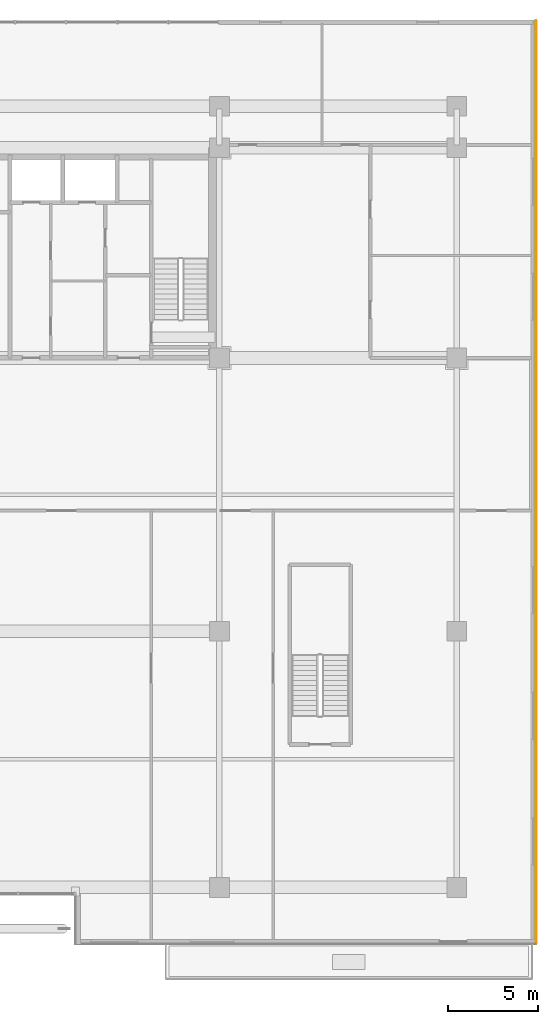
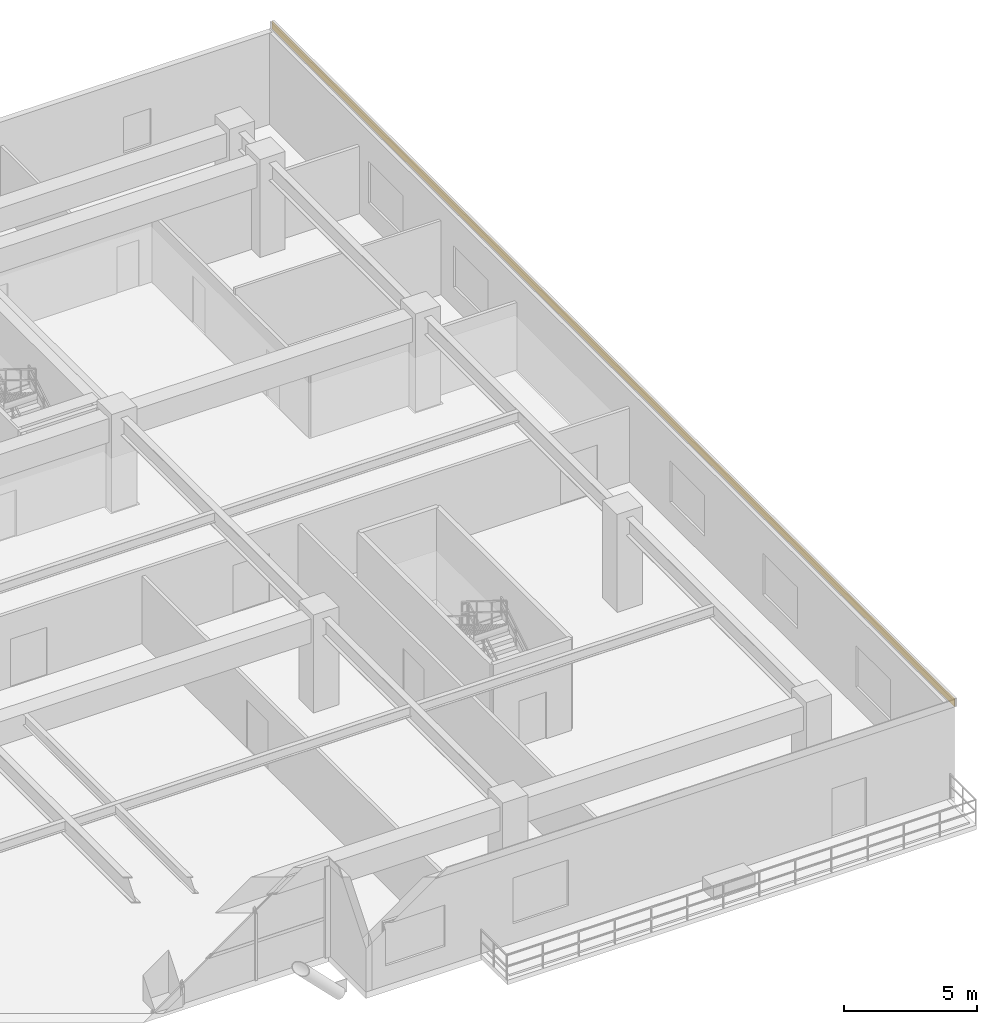
# One storey, part 24 of 24: 1 covering.
"""IFC4 building model written with IfcOpenShell, lengths in metres."""

from ifc_helpers import new_model, si_unit, direction, frame, origin, origin_2d, place, context, subcontext, project, spatial, rectangle, extrude, source, transform, mapped, material, layer, layer_set, type_object, element, save


model = new_model("IFC4")

# Units and contexts
model_context = context("Model", 3, precision=1e-05, world=origin(), true_north=direction((0.0, 1.0)))
body_context = subcontext(model_context, "Body", "Model", "MODEL_VIEW")
ifc_project = project(units=[si_unit("LENGTHUNIT", "METRE"), si_unit("AREAUNIT", "SQUARE_METRE"), si_unit("VOLUMEUNIT", "CUBIC_METRE"), si_unit("PLANEANGLEUNIT", "RADIAN"), si_unit("MASSUNIT", "GRAM", prefix="KILO")], contexts=[model_context])

# Site, building, storey
site_placement = place(None, origin())
site = spatial("IfcSite", under=ifc_project, at=site_placement, CompositionType="ELEMENT")
building_placement = place(site_placement, origin())
building = spatial("IfcBuilding", under=site, at=building_placement, Name="Trelvane Seafront Commons", CompositionType="ELEMENT")
storey_placement = place(building_placement, frame((0.0, 0.0, 9.699951171875)))
storey = spatial("IfcBuildingStorey", under=building, at=storey_placement, Name="L02", CompositionType="ELEMENT", Elevation=9.699951171875)

# Covering
ifc_material = material(Name="Anodised pale-silver aluminium", Category="aluminium")
ifc_layer = layer(ifc_material, 0.034912109375, Name="ARCH-COV-CLAD35")
ifc_layer_set = layer_set([ifc_layer], Name="Anodised pale-silver aluminium")
covering_type = type_object("IfcCoveringType", Name="ARCH-COV-CLAD35", PredefinedType="CLADDING", material=ifc_layer_set)
shared_shape = source(origin(), body_context, "Body", "SweptSolid", [
    extrude(rectangle(XDim=51.39990234375, YDim=0.034912109375, at=origin_2d()), origin(), (0.0, 0.0, 1.0), 0.340087890625),
])
covering_placement = place(storey_placement, frame((76.39990234375, 26.5, 4.16015625), z_axis=(0.0, 0.0, 1.0), x_axis=(0.0, -1.0, 0.0)))
element("IfcCovering", 1, at=covering_placement, inside=storey, type_object=covering_type, Name="CLD-L02-00013", PredefinedType="CLADDING", context=body_context, shape_type="MappedRepresentation", body=[
    mapped(shared_shape, transform((0.0, 0.0, 0.0), x_axis=(1.0, 0.0, 0.0), y_axis=(0.0, 1.0, 0.0), z_axis=(0.0, 0.0, 1.0), scale=1.0)),
])

save(model, "model.ifc")
